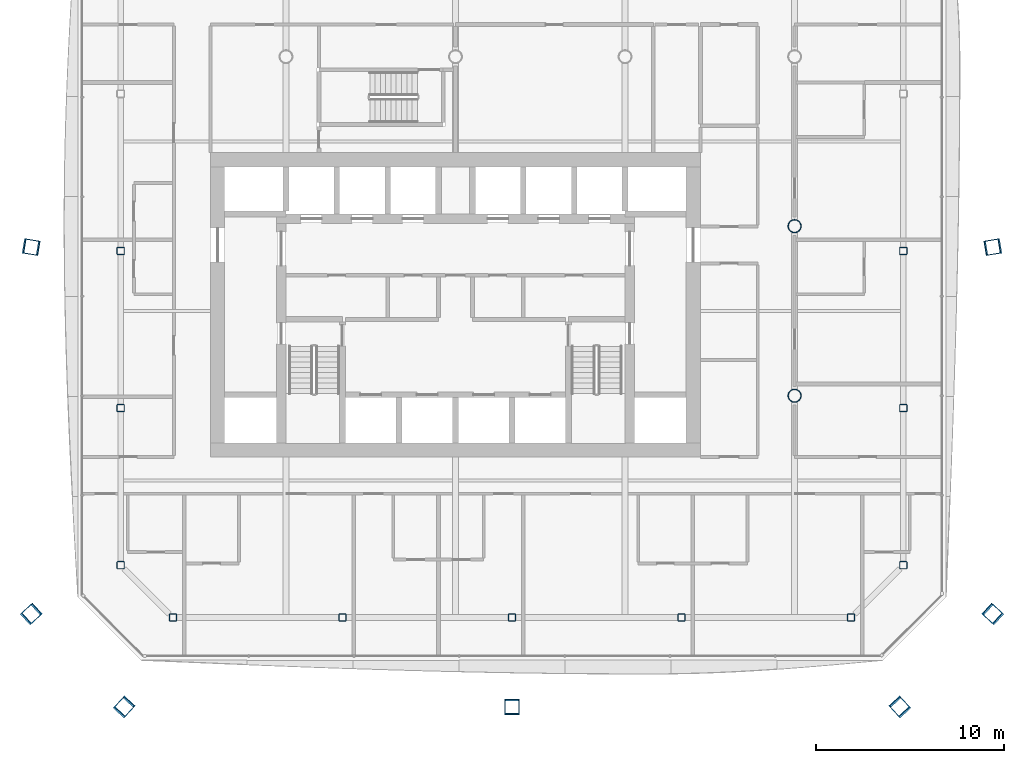
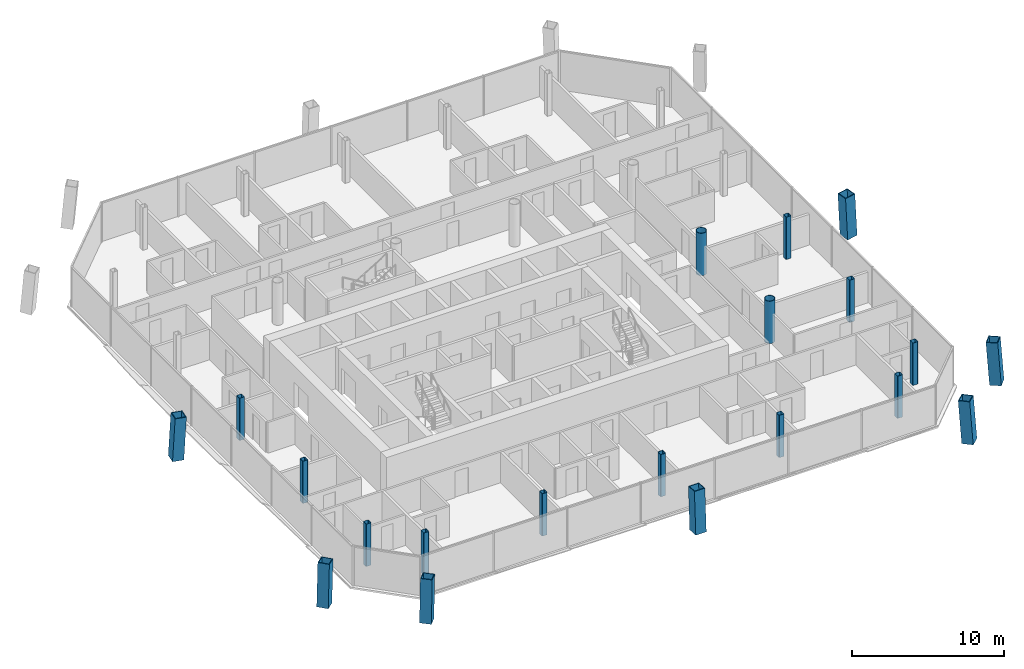
# One storey, part 1 of 21: 20 columns.
"""IFC4 building model written with IfcOpenShell, lengths in metres."""

from ifc_helpers import new_model, si_unit, direction, frame, origin, origin_2d, place, context, subcontext, project, spatial, hollow_rectangle, hollow_circle, extrude, material, material_profile, profile_set, type_object, element, save


model = new_model("IFC4")

# Units and contexts
model_context = context("Model", 3, precision=1e-05, world=origin(), true_north=direction((0.0, 1.0)))
body_context = subcontext(model_context, "Body", "Model", "MODEL_VIEW")
ifc_project = project(units=[si_unit("LENGTHUNIT", "METRE"), si_unit("AREAUNIT", "SQUARE_METRE"), si_unit("VOLUMEUNIT", "CUBIC_METRE"), si_unit("PLANEANGLEUNIT", "RADIAN"), si_unit("MASSUNIT", "GRAM", prefix="KILO")], contexts=[model_context])

# Site, building, storey
site_placement = place(None, origin())
site = spatial("IfcSite", under=ifc_project, at=site_placement, CompositionType="ELEMENT")
building_placement = place(site_placement, origin())
building = spatial("IfcBuilding", under=site, at=building_placement, Name="Tskaro Facet Tower", CompositionType="ELEMENT")
storey_placement = place(building_placement, frame((0.0, 0.0, 138.5)))
storey = spatial("IfcBuildingStorey", under=building, at=storey_placement, Name="L33", CompositionType="ELEMENT", Elevation=138.5)

# Columns
ifc_material_1 = material(Name="Steel S460M", Category="steel")
ifc_material_profile_1 = material_profile(ifc_material_1, hollow_rectangle(XDim=0.800048828125, YDim=0.800048828125, WallThickness=0.050048828125, at=origin_2d()), Name="BOX 800x800x50")
ifc_profile_set_1 = profile_set([ifc_material_profile_1], Name="Steel S460M")
column_type_1 = type_object("IfcColumnType", Name="BOX 800x800x50 mega column", PredefinedType="COLUMN", material=ifc_profile_set_1)
column_1_placement = place(storey_placement, frame((-17.616943359375, -25.553955078125, 0.0), z_axis=(0.048701943146, 0.053357275946, 0.997387147419), x_axis=(-0.73859280104, 0.674151818399, 0.0)))
element("IfcColumn", 1, at=column_1_placement, inside=storey, type_object=column_type_1, Name="BOX 800x800x50 MC01/3", PredefinedType="COLUMN", context=body_context, shape_type="SweptSolid", body=[
    extrude(hollow_rectangle(XDim=0.800048828125, YDim=0.800048828125, WallThickness=0.050048828125, at=origin_2d()), origin(), (0.0, 0.0, 1.0), 3.40869140625),
])
column_2_placement = place(storey_placement, frame((3.0, -25.553955078125, 0.0), z_axis=(0.0, 0.053420667244, 0.998572096702), x_axis=(-1.0, 0.0, 0.0)))
element("IfcColumn", 2, at=column_2_placement, inside=storey, type_object=column_type_1, Name="BOX 800x800x50 MC02/3", PredefinedType="COLUMN", context=body_context, shape_type="SweptSolid", body=[
    extrude(hollow_rectangle(XDim=0.800048828125, YDim=0.800048828125, WallThickness=0.050048828125, at=origin_2d()), origin(), (0.0, 0.0, 1.0), 3.40478515625),
])
for number, where, z_axis, x_axis, name in (
    (3, (23.616943359375, -25.553955078125, 0.0), (-0.048701943146, 0.053357275946, 0.997387147419), (-0.73859280104, -0.674151818399, 0.0), "BOX 800x800x50 MC03/3"),
    (4, (28.553955078125, -20.616943359375, 0.0), (-0.053357275946, 0.048701943146, 0.997387147419), (-0.674151818399, -0.73859280104, 0.0), "BOX 800x800x50 MC04/3"),
):
    element("IfcColumn", number, at=place(storey_placement, frame(where, z_axis=z_axis, x_axis=x_axis)), inside=storey, type_object=column_type_1, Name=name, PredefinedType="COLUMN", context=body_context, shape_type="SweptSolid", body=[
        extrude(hollow_rectangle(XDim=0.800048828125, YDim=0.800048828125, WallThickness=0.050048828125, at=origin_2d()), origin(), (0.0, 0.0, 1.0), 3.40869140625),
    ])
for number, where, z_axis, x_axis, name in (
    (5, (28.553955078125, -1.10595703125, 0.0), (-0.053418589604, -0.008819444995, 0.998533260174), (0.162895476227, -0.986643331617, 0.0), "BOX 800x800x50 MC05/3"),
    (6, (-22.553955078125, -1.10595703125, 0.0), (0.053418589604, -0.008819444995, 0.998533260174), (0.162895476227, 0.986643331617, 0.0), "BOX 800x800x50 MC11/3"),
):
    element("IfcColumn", number, at=place(storey_placement, frame(where, z_axis=z_axis, x_axis=x_axis)), inside=storey, type_object=column_type_1, Name=name, PredefinedType="COLUMN", context=body_context, shape_type="SweptSolid", body=[
        extrude(hollow_rectangle(XDim=0.800048828125, YDim=0.800048828125, WallThickness=0.050048828125, at=origin_2d()), origin(), (0.0, 0.0, 1.0), 3.40478515625),
    ])
column_3_placement = place(storey_placement, frame((-22.553955078125, -20.616943359375, 0.0), z_axis=(0.053357275946, 0.048701943146, 0.997387147419), x_axis=(-0.674151818399, 0.73859280104, 0.0)))
element("IfcColumn", 7, at=column_3_placement, inside=storey, type_object=column_type_1, Name="BOX 800x800x50 MC12/3", PredefinedType="COLUMN", context=body_context, shape_type="SweptSolid", body=[
    extrude(hollow_rectangle(XDim=0.800048828125, YDim=0.800048828125, WallThickness=0.050048828125, at=origin_2d()), origin(), (0.0, 0.0, 1.0), 3.40869140625),
])
ifc_material_2 = material(Name="Steel S355J2H", Category="steel")
ifc_material_profile_2 = material_profile(ifc_material_2, hollow_circle(Radius=0.35546875, WallThickness=0.031982421875, at=origin_2d()), Name="CHS 711x32")
ifc_profile_set_2 = profile_set([ifc_material_profile_2], Name="Steel S355J2H")
column_type_2 = type_object("IfcColumnType", Name="CHS 711x32 interior column", PredefinedType="COLUMN", material=ifc_profile_set_2)
for number, where, z_axis, x_axis, name in (
    (8, (18.0, -9.0, 0.0), (0.0, 0.0, 1.0), (1.0, 0.0, 0.0), "CHS 711x32 C6C/3"),
    (9, (18.0, 0.0, 0.0), (0.0, 0.0, 1.0), (1.0, 0.0, 0.0), "CHS 711x32 C6D/3"),
):
    element("IfcColumn", number, at=place(storey_placement, frame(where, z_axis=z_axis, x_axis=x_axis)), inside=storey, type_object=column_type_2, Name=name, PredefinedType="COLUMN", context=body_context, shape_type="SweptSolid", body=[
        extrude(hollow_circle(Radius=0.35546875, WallThickness=0.031982421875, at=origin_2d()), origin(), (0.0, 0.0, 1.0), 3.39990234375),
    ])
ifc_material_profile_3 = material_profile(ifc_material_2, hollow_rectangle(XDim=0.39990234375, YDim=0.39990234375, WallThickness=0.02001953125, InnerFilletRadius=0.030029296875, OuterFilletRadius=0.050048828125, at=origin_2d()), Name="SHS 400x400x20")
ifc_profile_set_3 = profile_set([ifc_material_profile_3], Name="Steel S355J2H")
column_type_3 = type_object("IfcColumnType", Name="SHS 400x400x20 ring column", PredefinedType="COLUMN", material=ifc_profile_set_3)
for number, where, z_axis, x_axis, name in (
    (10, (-14.9990234375, -20.77392578125, 0.0), (0.0, 0.0, 1.0), (1.0, 0.0, 0.0), "SHS 400x400x20 RS-1/3"),
    (11, (-6.0, -20.77392578125, 0.0), (0.0, 0.0, 1.0), (1.0, 0.0, 0.0), "SHS 400x400x20 RS-2/3"),
    (12, (3.0, -20.77392578125, 0.0), (0.0, 0.0, 1.0), (1.0, 0.0, 0.0), "SHS 400x400x20 RS-3/3"),
    (13, (12.0, -20.77392578125, 0.0), (0.0, 0.0, 1.0), (1.0, 0.0, 0.0), "SHS 400x400x20 RS-4/3"),
    (14, (20.9990234375, -20.77392578125, 0.0), (0.0, 0.0, 1.0), (1.0, 0.0, 0.0), "SHS 400x400x20 RSE-1/3"),
    (15, (23.77392578125, -17.9990234375, 0.0), (0.0, 0.0, 1.0), (1.0, 0.0, 0.0), "SHS 400x400x20 RE-1/3"),
    (16, (23.77392578125, -9.656982421875, 0.0), (0.0, 0.0, 1.0), (1.0, 0.0, 0.0), "SHS 400x400x20 RE-2/3"),
    (17, (23.77392578125, -1.31591796875, 0.0), (0.0, 0.0, 1.0), (1.0, 0.0, 0.0), "SHS 400x400x20 RE-3/3"),
    (18, (-17.77392578125, -1.31494140625, 0.0), (0.0, 0.0, 1.0), (1.0, 0.0, 0.0), "SHS 400x400x20 RW-3/3"),
    (19, (-17.77392578125, -9.656982421875, 0.0), (0.0, 0.0, 1.0), (1.0, 0.0, 0.0), "SHS 400x400x20 RW-4/3"),
    (20, (-17.77392578125, -17.9990234375, 0.0), (0.0, 0.0, 1.0), (1.0, 0.0, 0.0), "SHS 400x400x20 RSW-1/3"),
):
    element("IfcColumn", number, at=place(storey_placement, frame(where, z_axis=z_axis, x_axis=x_axis)), inside=storey, type_object=column_type_3, Name=name, PredefinedType="COLUMN", context=body_context, shape_type="SweptSolid", body=[
        extrude(hollow_rectangle(XDim=0.39990234375, YDim=0.39990234375, WallThickness=0.02001953125, InnerFilletRadius=0.030029296875, OuterFilletRadius=0.050048828125, at=origin_2d()), origin(), (0.0, 0.0, 1.0), 3.39990234375),
    ])

save(model, "model.ifc")
